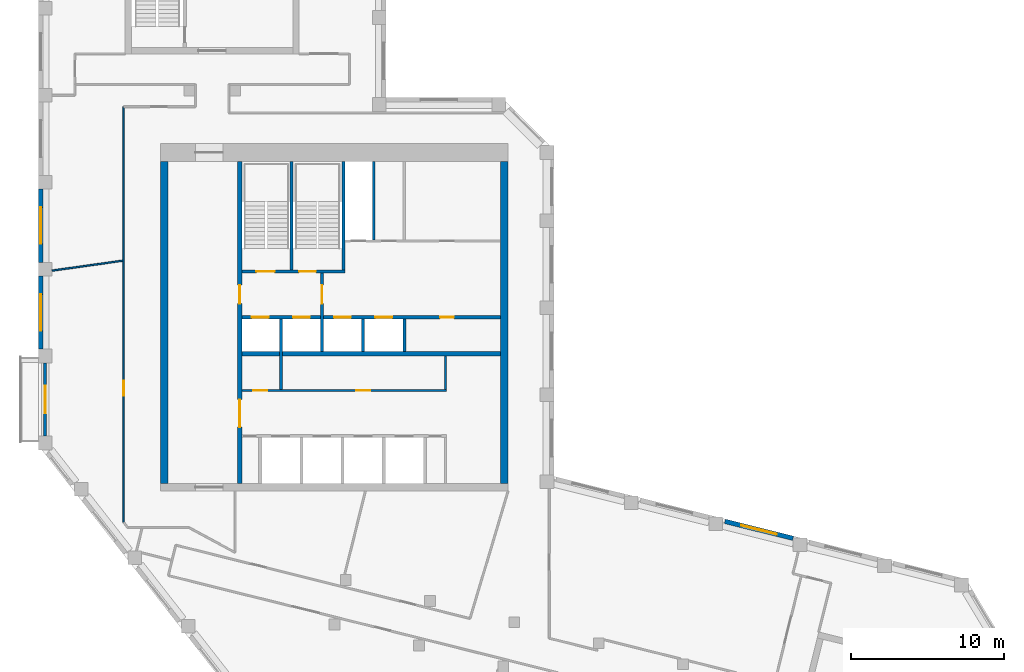
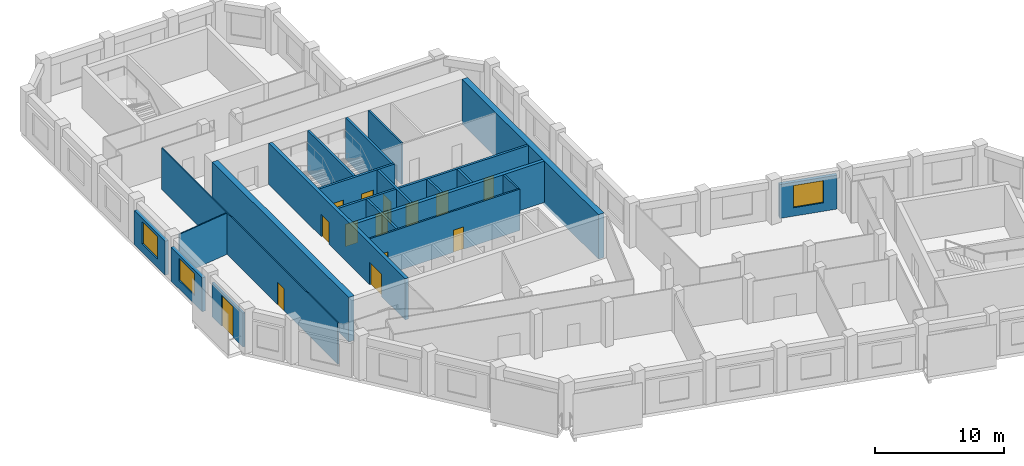
# One storey, part 5 of 8: 21 walls, 14 doors, 3 windows, 17 openings.
"""IFC4 building model written with IfcOpenShell, lengths in metres."""

from ifc_helpers import new_model, si_unit, direction, frame, frame_2d, origin, place, context, subcontext, project, spatial, rectangle, extrude, material, layer, layer_set, type_object, element, fill, save


model = new_model("IFC4")

# Units and contexts
model_context = context("Model", 3, precision=1e-05, world=origin(), true_north=direction((0.0, 1.0)))
body_context = subcontext(model_context, "Body", "Model", "MODEL_VIEW")
ifc_project = project(units=[si_unit("LENGTHUNIT", "METRE"), si_unit("AREAUNIT", "SQUARE_METRE"), si_unit("VOLUMEUNIT", "CUBIC_METRE"), si_unit("PLANEANGLEUNIT", "RADIAN"), si_unit("MASSUNIT", "GRAM", prefix="KILO")], contexts=[model_context])

# Site, building, storey
site_placement = place(None, origin())
site = spatial("IfcSite", under=ifc_project, at=site_placement, CompositionType="ELEMENT")
building_placement = place(site_placement, origin())
building = spatial("IfcBuilding", under=site, at=building_placement, Name="Meshkara Civic Tower", CompositionType="ELEMENT")
storey_placement = place(building_placement, frame((0.0, 0.0, 362.39990234375)))
storey = spatial("IfcBuildingStorey", under=building, at=storey_placement, Name="L83", CompositionType="ELEMENT", Elevation=362.39990234375)

# Wall, openings, doors
ifc_material_1 = material(Name="Blockwork", Category="masonry")
ifc_layer_1 = layer(ifc_material_1, 0.14990234375)
ifc_layer_set_1 = layer_set([ifc_layer_1], Name="Core partition 150")
wall_type_1 = type_object("IfcWallType", Name="Core partition 150", PredefinedType="PARTITIONING", material=ifc_layer_set_1)
wall_1_placement = place(storey_placement, frame((13.35009765625, 20.699951171875, 0.0), z_axis=(0.0, 0.0, 1.0), x_axis=(1.0, 0.0, 0.0)))
wall_1 = element("IfcWall", 1, at=wall_1_placement, inside=storey, type_object=wall_type_1, Name="L83-C006", PredefinedType="PARTITIONING", context=body_context, shape_type="SweptSolid", body=[
    extrude(rectangle(XDim=13.4248046875, YDim=0.14990234375, at=frame_2d((6.71240234375, 0.0))), origin(), (0.0, 0.0, 1.0), 3.900146484375),
])
opening_1_placement = place(wall_1_placement, frame((0.75, 0.0, 0.0)))
opening_1 = element("IfcOpeningElement", 2, at=opening_1_placement, cuts=wall_1, Name="Opening L83-K011", PredefinedType="OPENING", context=body_context, shape_type="SweptSolid", body=[
    extrude(rectangle(XDim=0.89990234375, YDim=2.10009765625, at=frame_2d((0.449951171875, 1.050048828125))), frame((0.0, 0.0849609375, 0.0), z_axis=(0.0, -1.0, 0.0), x_axis=(1.0, 0.0, 0.0)), (0.0, 0.0, 1.0), 0.169921875),
])
opening_2_placement = place(wall_1_placement, frame((7.5, 0.0, 0.0)))
opening_2 = element("IfcOpeningElement", 3, at=opening_2_placement, cuts=wall_1, Name="Opening L83-K012", PredefinedType="OPENING", context=body_context, shape_type="SweptSolid", body=[
    extrude(rectangle(XDim=0.89990234375, YDim=2.10009765625, at=frame_2d((0.449951171875, 1.050048828125))), frame((0.0, 0.0849609375, 0.0), z_axis=(0.0, -1.0, 0.0), x_axis=(1.0, 0.0, 0.0)), (0.0, 0.0, 1.0), 0.169921875),
])
ifc_material_2 = material(Name="Timber door leaf in steel frame", Category="steel")
door_type_1 = type_object("IfcDoorType", Name="Core room door 900", OperationType="SINGLE_SWING_LEFT", PredefinedType="DOOR", material=ifc_material_2)
door_1_placement = place(opening_1_placement, origin())
door_1 = element("IfcDoor", 4, at=door_1_placement, inside=storey, type_object=door_type_1, Name="L83-K011", OperationType="SINGLE_SWING_RIGHT", OverallHeight=2.10009765625, OverallWidth=0.89990234375, PredefinedType="DOOR", context=body_context, shape_type="SweptSolid", body=[
    extrude(rectangle(XDim=0.89990234375, YDim=2.10009765625, at=frame_2d((0.449951171875, 1.050048828125))), frame((0.0, 0.02490234375, 0.0), z_axis=(0.0, -1.0, 0.0), x_axis=(1.0, 0.0, 0.0)), (0.0, 0.0, 1.0), 0.050048828125),
])
fill(opening_1, door_1)
door_2_placement = place(opening_2_placement, origin())
door_2 = element("IfcDoor", 5, at=door_2_placement, inside=storey, type_object=door_type_1, Name="L83-K012", OperationType="SINGLE_SWING_LEFT", OverallHeight=2.10009765625, OverallWidth=0.89990234375, PredefinedType="DOOR", context=body_context, shape_type="SweptSolid", body=[
    extrude(rectangle(XDim=0.89990234375, YDim=2.10009765625, at=frame_2d((0.449951171875, 1.050048828125))), frame((0.0, 0.02490234375, 0.0), z_axis=(0.0, -1.0, 0.0), x_axis=(1.0, 0.0, 0.0)), (0.0, 0.0, 1.0), 0.050048828125),
])
fill(opening_2, door_2)

# Walls
wall_2_placement = place(storey_placement, frame((22.0, 30.574951171875, 0.0), z_axis=(0.0, 0.0, 1.0), x_axis=(0.0, 1.0, 0.0)))
element("IfcWall", 6, at=wall_2_placement, inside=storey, type_object=wall_type_1, Name="L83-C020", PredefinedType="PARTITIONING", context=body_context, shape_type="SweptSolid", body=[
    extrude(rectangle(XDim=5.125, YDim=0.14990234375, at=frame_2d((2.5625, 0.0))), origin(), (0.0, 0.0, 1.0), 3.900146484375),
])
wall_3_placement = place(storey_placement, frame((26.699951171875, 20.77490234375, 0.0), z_axis=(0.0, 0.0, 1.0), x_axis=(0.0, 1.0, 0.0)))
element("IfcWall", 7, at=wall_3_placement, inside=storey, type_object=wall_type_1, Name="L83-C026", PredefinedType="PARTITIONING", context=body_context, shape_type="SweptSolid", body=[
    extrude(rectangle(XDim=2.175048828125, YDim=0.14990234375, at=frame_2d((1.08740234375, 0.0))), origin(), (0.0, 0.0, 1.0), 3.900146484375),
])
ifc_material_3 = material(Name="Concrete C50", Category="concrete")
ifc_layer_2 = layer(ifc_material_3, 0.5)
ifc_layer_set_2 = layer_set([ifc_layer_2], Name="Core ring wall 500 C50")
wall_type_2 = type_object("IfcWallType", Name="Core ring wall 500 C50", PredefinedType="SHEAR", material=ifc_layer_set_2)
for number, where, z_axis, x_axis, name in (
    (8, (8.25, 14.60009765625, -0.2998046875), (0.0, 0.0, 1.0), (0.0, 1.0, 0.0), "L83-C003"),
    (9, (30.550048828125, 14.60009765625, -0.2998046875), (0.0, 0.0, 1.0), (0.0, 1.0, 0.0), "L83-C004"),
):
    element("IfcWall", number, at=place(storey_placement, frame(where, z_axis=z_axis, x_axis=x_axis)), inside=storey, type_object=wall_type_2, Name=name, PredefinedType="SHEAR", context=body_context, shape_type="SweptSolid", body=[
        extrude(rectangle(XDim=21.099853515625, YDim=0.5, at=frame_2d((10.5498046875, 0.0))), origin(), (0.0, 0.0, 1.0), 4.199951171875),
    ])
ifc_material_4 = material(Name="Concrete C50", Category="concrete")
ifc_layer_3 = layer(ifc_material_4, 0.300048828125)
ifc_layer_set_3 = layer_set([ifc_layer_3], Name="Core shear wall 300 C50")
wall_type_3 = type_object("IfcWallType", Name="Core shear wall 300 C50", PredefinedType="SHEAR", material=ifc_layer_set_3)
wall_4_placement = place(storey_placement, frame((13.35009765625, 23.10009765625, 0.0), z_axis=(0.0, 0.0, 1.0), x_axis=(1.0, 0.0, 0.0)))
element("IfcWall", 10, at=wall_4_placement, inside=storey, type_object=wall_type_3, Name="L83-C007", PredefinedType="SHEAR", context=body_context, shape_type="SweptSolid", body=[
    extrude(rectangle(XDim=16.949951171875, YDim=0.300048828125, at=frame_2d((8.47509765625, 0.0))), origin(), (0.0, 0.0, 1.0), 3.900146484375),
])

# Wall, openings, doors
wall_5_placement = place(storey_placement, frame((13.199951171875, 14.60009765625, 0.0), z_axis=(0.0, 0.0, 1.0), x_axis=(0.0, 1.0, 0.0)))
wall_5 = element("IfcWall", 11, at=wall_5_placement, inside=storey, type_object=wall_type_3, Name="L83-C011", PredefinedType="SHEAR", context=body_context, shape_type="SweptSolid", body=[
    extrude(rectangle(XDim=21.099853515625, YDim=0.300048828125, at=frame_2d((10.5498046875, 0.0))), origin(), (0.0, 0.0, 1.0), 3.900146484375),
])
opening_3_placement = place(wall_5_placement, frame((3.699951171875, 0.0, 0.0)))
opening_3 = element("IfcOpeningElement", 12, at=opening_3_placement, cuts=wall_5, Name="Opening L83-K019", PredefinedType="OPENING", context=body_context, shape_type="SweptSolid", body=[
    extrude(rectangle(XDim=1.800048828125, YDim=2.10009765625, at=frame_2d((0.89990234375, 1.050048828125))), frame((0.0, 0.159912109375, 0.0), z_axis=(0.0, -1.0, 0.0), x_axis=(1.0, 0.0, 0.0)), (0.0, 0.0, 1.0), 0.320068359375),
])
opening_4_placement = place(wall_5_placement, frame((11.800048828125, 0.0, 0.0)))
opening_4 = element("IfcOpeningElement", 13, at=opening_4_placement, cuts=wall_5, Name="Opening L83-K020", PredefinedType="OPENING", context=body_context, shape_type="SweptSolid", body=[
    extrude(rectangle(XDim=1.199951171875, YDim=2.10009765625, at=frame_2d((0.60009765625, 1.050048828125))), frame((0.0, 0.159912109375, 0.0), z_axis=(0.0, -1.0, 0.0), x_axis=(1.0, 0.0, 0.0)), (0.0, 0.0, 1.0), 0.320068359375),
])
ifc_material_5 = material(Name="Fire-rated door leaf in steel frame", Category="steel")
door_type_2 = type_object("IfcDoorType", Name="Core double door 1800 EI 60", OperationType="DOUBLE_DOOR_SINGLE_SWING", PredefinedType="DOOR", material=ifc_material_5)
door_3_placement = place(opening_3_placement, origin())
door_3 = element("IfcDoor", 14, at=door_3_placement, inside=storey, type_object=door_type_2, Name="L83-K019", OperationType="DOUBLE_DOOR_SINGLE_SWING", OverallHeight=2.10009765625, OverallWidth=1.800048828125, PredefinedType="DOOR", context=body_context, shape_type="SweptSolid", body=[
    extrude(rectangle(XDim=1.800048828125, YDim=2.10009765625, at=frame_2d((0.89990234375, 1.050048828125))), frame((0.0, 0.02490234375, 0.0), z_axis=(0.0, -1.0, 0.0), x_axis=(1.0, 0.0, 0.0)), (0.0, 0.0, 1.0), 0.050048828125),
])
fill(opening_3, door_3)
ifc_material_6 = material(Name="Fire-rated door leaf in steel frame", Category="steel")
door_type_3 = type_object("IfcDoorType", Name="Fire-fighting lobby door 1200 EI 120", OperationType="SINGLE_SWING_LEFT", PredefinedType="DOOR", material=ifc_material_6)
door_4_placement = place(opening_4_placement, origin())
door_4 = element("IfcDoor", 15, at=door_4_placement, inside=storey, type_object=door_type_3, Name="L83-K020", OperationType="SINGLE_SWING_LEFT", OverallHeight=2.10009765625, OverallWidth=1.199951171875, PredefinedType="DOOR", context=body_context, shape_type="SweptSolid", body=[
    extrude(rectangle(XDim=1.199951171875, YDim=2.10009765625, at=frame_2d((0.60009765625, 1.050048828125))), frame((0.0, 0.02490234375, 0.0), z_axis=(0.0, -1.0, 0.0), x_axis=(1.0, 0.0, 0.0)), (0.0, 0.0, 1.0), 0.050048828125),
])
fill(opening_4, door_4)

# Wall, opening, door
ifc_material_7 = material(Name="Corridor wall 100")
ifc_layer_4 = layer(ifc_material_7, 0.10009765625)
ifc_layer_set_4 = layer_set([ifc_layer_4], Name="Corridor wall 100")
wall_type_4 = type_object("IfcWallType", Name="Corridor wall 100", PredefinedType="PARTITIONING", material=ifc_layer_set_4)
wall_6_placement = place(storey_placement, frame((5.60009765625, 39.300048828125, 0.0), z_axis=(0.0, 0.0, 1.0), x_axis=(0.0, -1.0, 0.0)))
wall_6 = element("IfcWall", 16, at=wall_6_placement, inside=storey, type_object=wall_type_4, Name="L83-W004", PredefinedType="PARTITIONING", context=body_context, shape_type="SweptSolid", body=[
    extrude(rectangle(XDim=27.256103515625, YDim=0.10009765625, at=frame_2d((13.6279296875, 0.0))), origin(), (0.0, 0.0, 1.0), 3.900146484375),
])
opening_5_placement = place(wall_6_placement, frame((17.962890625, 0.0, 0.0)))
opening_5 = element("IfcOpeningElement", 17, at=opening_5_placement, cuts=wall_6, Name="Opening L83-D011", PredefinedType="OPENING", context=body_context, shape_type="SweptSolid", body=[
    extrude(rectangle(XDim=1.0, YDim=2.10009765625, at=frame_2d((0.5, 1.050048828125))), frame((0.0, 0.06005859375, 0.0), z_axis=(0.0, -1.0, 0.0), x_axis=(1.0, 0.0, 0.0)), (0.0, 0.0, 1.0), 0.1201171875),
])
ifc_material_8 = material(Name="Door 1000 x 2100")
door_type_4 = type_object("IfcDoorType", Name="Door 1000 x 2100", OperationType="SINGLE_SWING_LEFT", PredefinedType="DOOR", material=ifc_material_8)
door_5_placement = place(opening_5_placement, origin())
door_5 = element("IfcDoor", 18, at=door_5_placement, inside=storey, type_object=door_type_4, Name="L83-D011", OperationType="SINGLE_SWING_RIGHT", OverallHeight=2.10009765625, OverallWidth=1.0, PredefinedType="DOOR", context=body_context, shape_type="SweptSolid", body=[
    extrude(rectangle(XDim=1.0, YDim=2.10009765625, at=frame_2d((0.5, 1.050048828125))), frame((0.0, 0.02490234375, 0.0), z_axis=(0.0, -1.0, 0.0), x_axis=(1.0, 0.0, 0.0)), (0.0, 0.0, 1.0), 0.050048828125),
])
fill(opening_5, door_5)

# Wall, opening, window
ifc_material_9 = material(Name="Insulated infill panel with bronze anodised aluminium cladding", Category="aluminium")
ifc_layer_5 = layer(ifc_material_9, 0.300048828125)
ifc_layer_set_5 = layer_set([ifc_layer_5], Name="EXTERNAL INFILL WALL 300")
wall_type_5 = type_object("IfcWallType", Name="EXTERNAL INFILL WALL 300", PredefinedType="SOLIDWALL", material=ifc_layer_set_5)
wall_7_placement = place(storey_placement, frame((49.485107421875, 11.0048828125, 0.0), z_axis=(0.0, 0.0, 1.0), x_axis=(-0.970235897967, 0.242161727563, 0.0)))
wall_7 = element("IfcWall", 19, at=wall_7_placement, inside=storey, type_object=wall_type_5, Name="External wall", PredefinedType="SOLIDWALL", context=body_context, shape_type="SweptSolid", body=[
    extrude(rectangle(XDim=4.609375, YDim=0.300048828125, at=frame_2d((2.3046875, 0.0))), origin(), (0.0, 0.0, 1.0), 3.2001953125),
])
opening_6_placement = place(wall_7_placement, frame((1.10498046875, 0.0, 0.800048828125)))
opening_6 = element("IfcOpeningElement", 20, at=opening_6_placement, cuts=wall_7, Name="Opening W7", PredefinedType="OPENING", context=body_context, shape_type="SweptSolid", body=[
    extrude(rectangle(XDim=2.39990234375, YDim=2.10009765625, at=frame_2d((1.199951171875, 1.050048828125))), frame((0.0, 0.159912109375, 0.0), z_axis=(0.0, -1.0, 0.0), x_axis=(1.0, 0.0, 0.0)), (0.0, 0.0, 1.0), 0.320068359375),
])
ifc_material_10 = material(Name="Tinted double glazing", Category="glass")
window_type = type_object("IfcWindowType", Name="WINDOW 2400x2100", PartitioningType="DOUBLE_PANEL_VERTICAL", PredefinedType="WINDOW", material=ifc_material_10)
window_1_placement = place(opening_6_placement, origin())
window_1 = element("IfcWindow", 21, at=window_1_placement, inside=storey, type_object=window_type, Name="Window", OverallHeight=2.10009765625, OverallWidth=2.39990234375, PartitioningType="DOUBLE_PANEL_VERTICAL", PredefinedType="WINDOW", context=body_context, shape_type="SweptSolid", body=[
    extrude(rectangle(XDim=2.39990234375, YDim=2.10009765625, at=frame_2d((1.199951171875, 1.050048828125))), frame((0.0, 0.030029296875, 0.0), z_axis=(0.0, -1.0, 0.0), x_axis=(1.0, 0.0, 0.0)), (0.0, 0.0, 1.0), 0.06005859375),
])
fill(opening_6, window_1)

wall_8_placement = place(storey_placement, frame((0.14990234375, 33.905029296875, 0.0), z_axis=(0.0, 0.0, 1.0), x_axis=(0.0, -1.0, 0.0)))
wall_8 = element("IfcWall", 22, at=wall_8_placement, inside=storey, type_object=wall_type_5, Name="External wall", PredefinedType="SOLIDWALL", context=body_context, shape_type="SweptSolid", body=[
    extrude(rectangle(XDim=4.800048828125, YDim=0.300048828125, at=frame_2d((2.39990234375, 0.0))), origin(), (0.0, 0.0, 1.0), 3.2001953125),
])
opening_7_placement = place(wall_8_placement, frame((1.199951171875, 0.0, 0.800048828125)))
opening_7 = element("IfcOpeningElement", 23, at=opening_7_placement, cuts=wall_8, Name="Opening W7", PredefinedType="OPENING", context=body_context, shape_type="SweptSolid", body=[
    extrude(rectangle(XDim=2.39990234375, YDim=2.10009765625, at=frame_2d((1.199951171875, 1.050048828125))), frame((0.0, 0.159912109375, 0.0), z_axis=(0.0, -1.0, 0.0), x_axis=(1.0, 0.0, 0.0)), (0.0, 0.0, 1.0), 0.320068359375),
])
window_2_placement = place(opening_7_placement, origin())
window_2 = element("IfcWindow", 24, at=window_2_placement, inside=storey, type_object=window_type, Name="Window", OverallHeight=2.10009765625, OverallWidth=2.39990234375, PartitioningType="DOUBLE_PANEL_VERTICAL", PredefinedType="WINDOW", context=body_context, shape_type="SweptSolid", body=[
    extrude(rectangle(XDim=2.39990234375, YDim=2.10009765625, at=frame_2d((1.199951171875, 1.050048828125))), frame((0.0, 0.030029296875, 0.0), z_axis=(0.0, -1.0, 0.0), x_axis=(1.0, 0.0, 0.0)), (0.0, 0.0, 1.0), 0.06005859375),
])
fill(opening_7, window_2)

wall_9_placement = place(storey_placement, frame((0.14990234375, 28.205078125, 0.0), z_axis=(0.0, 0.0, 1.0), x_axis=(0.0, -1.0, 0.0)))
wall_9 = element("IfcWall", 25, at=wall_9_placement, inside=storey, type_object=wall_type_5, Name="External wall", PredefinedType="SOLIDWALL", context=body_context, shape_type="SweptSolid", body=[
    extrude(rectangle(XDim=4.800048828125, YDim=0.300048828125, at=frame_2d((2.39990234375, 0.0))), origin(), (0.0, 0.0, 1.0), 3.2001953125),
])
opening_8_placement = place(wall_9_placement, frame((1.199951171875, 0.0, 0.800048828125)))
opening_8 = element("IfcOpeningElement", 26, at=opening_8_placement, cuts=wall_9, Name="Opening W7", PredefinedType="OPENING", context=body_context, shape_type="SweptSolid", body=[
    extrude(rectangle(XDim=2.39990234375, YDim=2.10009765625, at=frame_2d((1.199951171875, 1.050048828125))), frame((0.0, 0.159912109375, 0.0), z_axis=(0.0, -1.0, 0.0), x_axis=(1.0, 0.0, 0.0)), (0.0, 0.0, 1.0), 0.320068359375),
])
window_3_placement = place(opening_8_placement, origin())
window_3 = element("IfcWindow", 27, at=window_3_placement, inside=storey, type_object=window_type, Name="Window", OverallHeight=2.10009765625, OverallWidth=2.39990234375, PartitioningType="DOUBLE_PANEL_VERTICAL", PredefinedType="WINDOW", context=body_context, shape_type="SweptSolid", body=[
    extrude(rectangle(XDim=2.39990234375, YDim=2.10009765625, at=frame_2d((1.199951171875, 1.050048828125))), frame((0.0, 0.030029296875, 0.0), z_axis=(0.0, -1.0, 0.0), x_axis=(1.0, 0.0, 0.0)), (0.0, 0.0, 1.0), 0.06005859375),
])
fill(opening_8, window_3)

# Wall, opening, door
ifc_material_11 = material(Name="Insulated infill panel with bronze anodised aluminium cladding", Category="aluminium")
ifc_layer_6 = layer(ifc_material_11, 0.199951171875)
ifc_layer_set_6 = layer_set([ifc_layer_6], Name="LOGGIA BACK WALL 200")
wall_type_6 = type_object("IfcWallType", Name="LOGGIA BACK WALL 200", PredefinedType="SOLIDWALL", material=ifc_layer_set_6)
wall_10_placement = place(storey_placement, frame((0.449951171875, 22.5048828125, 0.0), z_axis=(0.0, 0.0, 1.0), x_axis=(0.0, -1.0, 0.0)))
wall_10 = element("IfcWall", 28, at=wall_10_placement, inside=storey, type_object=wall_type_6, Name="Loggia wall", PredefinedType="SOLIDWALL", context=body_context, shape_type="SweptSolid", body=[
    extrude(rectangle(XDim=4.798828125, YDim=0.199951171875, at=frame_2d((2.3994140625, 0.0))), origin(), (0.0, 0.0, 1.0), 3.2001953125),
])
opening_9_placement = place(wall_10_placement, frame((1.5, 0.0, 0.0)))
opening_9 = element("IfcOpeningElement", 29, at=opening_9_placement, cuts=wall_10, Name="Opening L83-L001", PredefinedType="OPENING", context=body_context, shape_type="SweptSolid", body=[
    extrude(rectangle(XDim=1.800048828125, YDim=2.89990234375, at=frame_2d((0.89990234375, 1.449951171875))), frame((0.0, 0.10986328125, 0.0), z_axis=(0.0, -1.0, 0.0), x_axis=(1.0, 0.0, 0.0)), (0.0, 0.0, 1.0), 0.219970703125),
])
ifc_material_12 = material(Name="Tinted double glazing", Category="glass")
door_type_5 = type_object("IfcDoorType", Name="LOGGIA DOOR 1800x2900", OperationType="DOUBLE_DOOR_SINGLE_SWING", PredefinedType="DOOR", material=ifc_material_12)
door_6_placement = place(opening_9_placement, origin())
door_6 = element("IfcDoor", 30, at=door_6_placement, inside=storey, type_object=door_type_5, Name="L83-L001", OperationType="DOUBLE_DOOR_SINGLE_SWING", OverallHeight=2.89990234375, OverallWidth=1.800048828125, PredefinedType="DOOR", context=body_context, shape_type="SweptSolid", body=[
    extrude(rectangle(XDim=1.800048828125, YDim=2.89990234375, at=frame_2d((0.89990234375, 1.449951171875))), frame((0.0, 0.02490234375, 0.0), z_axis=(0.0, -1.0, 0.0), x_axis=(1.0, 0.0, 0.0)), (0.0, 0.0, 1.0), 0.050048828125),
])
fill(opening_9, door_6)

# Wall
ifc_material_13 = material(Name="Partition 100")
ifc_layer_7 = layer(ifc_material_13, 0.10009765625)
ifc_layer_set_7 = layer_set([ifc_layer_7], Name="Partition 100")
wall_type_7 = type_object("IfcWallType", Name="Partition 100", PredefinedType="PARTITIONING", material=ifc_layer_set_7)
wall_11_placement = place(storey_placement, frame((5.54296875, 29.208984375, 0.0), z_axis=(0.0, 0.0, 1.0), x_axis=(-0.990252315106, -0.139285147908, 0.0)))
element("IfcWall", 31, at=wall_11_placement, inside=storey, type_object=wall_type_7, Name="L83-W034", PredefinedType="PARTITIONING", context=body_context, shape_type="SweptSolid", body=[
    extrude(rectangle(XDim=4.688720703125, YDim=0.10009765625, at=frame_2d((2.34423828125, 0.0))), origin(), (0.0, 0.0, 1.0), 3.900146484375),
])

# Wall, openings, doors
ifc_material_14 = material(Name="Concrete C40/50", Category="concrete")
ifc_layer_8 = layer(ifc_material_14, 0.199951171875)
ifc_layer_set_8 = layer_set([ifc_layer_8], Name="Shaft wall 200 C40/50")
wall_type_8 = type_object("IfcWallType", Name="Shaft wall 200 C40/50", PredefinedType="SOLIDWALL", material=ifc_layer_set_8)
wall_12_placement = place(storey_placement, frame((13.35009765625, 25.5, 0.0), z_axis=(0.0, 0.0, 1.0), x_axis=(1.0, 0.0, 0.0)))
wall_12 = element("IfcWall", 32, at=wall_12_placement, inside=storey, type_object=wall_type_8, Name="L83-C008", PredefinedType="SOLIDWALL", context=body_context, shape_type="SweptSolid", body=[
    extrude(rectangle(XDim=16.949951171875, YDim=0.199951171875, at=frame_2d((8.47509765625, 0.0))), origin(), (0.0, 0.0, 1.0), 3.900146484375),
])
opening_10_placement = place(wall_12_placement, frame((0.64990234375, 0.0, 0.0)))
opening_10 = element("IfcOpeningElement", 33, at=opening_10_placement, cuts=wall_12, Name="Opening L83-K005", PredefinedType="OPENING", context=body_context, shape_type="SweptSolid", body=[
    extrude(rectangle(XDim=1.10009765625, YDim=2.10009765625, at=frame_2d((0.550048828125, 1.050048828125))), frame((0.0, 0.10986328125, 0.0), z_axis=(0.0, -1.0, 0.0), x_axis=(1.0, 0.0, 0.0)), (0.0, 0.0, 1.0), 0.219970703125),
])
opening_11_placement = place(wall_12_placement, frame((3.35009765625, 0.0, 0.0)))
opening_11 = element("IfcOpeningElement", 34, at=opening_11_placement, cuts=wall_12, Name="Opening L83-K006", PredefinedType="OPENING", context=body_context, shape_type="SweptSolid", body=[
    extrude(rectangle(XDim=1.10009765625, YDim=2.10009765625, at=frame_2d((0.550048828125, 1.050048828125))), frame((0.0, 0.10986328125, 0.0), z_axis=(0.0, -1.0, 0.0), x_axis=(1.0, 0.0, 0.0)), (0.0, 0.0, 1.0), 0.219970703125),
])
opening_12_placement = place(wall_12_placement, frame((6.050048828125, 0.0, 0.0)))
opening_12 = element("IfcOpeningElement", 35, at=opening_12_placement, cuts=wall_12, Name="Opening L83-K007", PredefinedType="OPENING", context=body_context, shape_type="SweptSolid", body=[
    extrude(rectangle(XDim=1.10009765625, YDim=2.10009765625, at=frame_2d((0.550048828125, 1.050048828125))), frame((0.0, 0.10986328125, 0.0), z_axis=(0.0, -1.0, 0.0), x_axis=(1.0, 0.0, 0.0)), (0.0, 0.0, 1.0), 0.219970703125),
])
opening_13_placement = place(wall_12_placement, frame((8.75, 0.0, 0.0)))
opening_13 = element("IfcOpeningElement", 36, at=opening_13_placement, cuts=wall_12, Name="Opening L83-K008", PredefinedType="OPENING", context=body_context, shape_type="SweptSolid", body=[
    extrude(rectangle(XDim=1.10009765625, YDim=2.10009765625, at=frame_2d((0.550048828125, 1.050048828125))), frame((0.0, 0.10986328125, 0.0), z_axis=(0.0, -1.0, 0.0), x_axis=(1.0, 0.0, 0.0)), (0.0, 0.0, 1.0), 0.219970703125),
])
opening_14_placement = place(wall_12_placement, frame((13.0, 0.0, 0.0)))
opening_14 = element("IfcOpeningElement", 37, at=opening_14_placement, cuts=wall_12, Name="Opening L83-K013", PredefinedType="OPENING", context=body_context, shape_type="SweptSolid", body=[
    extrude(rectangle(XDim=0.89990234375, YDim=2.10009765625, at=frame_2d((0.449951171875, 1.050048828125))), frame((0.0, 0.10986328125, 0.0), z_axis=(0.0, -1.0, 0.0), x_axis=(1.0, 0.0, 0.0)), (0.0, 0.0, 1.0), 0.219970703125),
])
door_7_placement = place(opening_14_placement, origin())
door_7 = element("IfcDoor", 38, at=door_7_placement, inside=storey, type_object=door_type_1, Name="L83-K013", OperationType="SINGLE_SWING_LEFT", OverallHeight=2.10009765625, OverallWidth=0.89990234375, PredefinedType="DOOR", context=body_context, shape_type="SweptSolid", body=[
    extrude(rectangle(XDim=0.89990234375, YDim=2.10009765625, at=frame_2d((0.449951171875, 1.050048828125))), frame((0.0, 0.02490234375, 0.0), z_axis=(0.0, -1.0, 0.0), x_axis=(1.0, 0.0, 0.0)), (0.0, 0.0, 1.0), 0.050048828125),
])
fill(opening_14, door_7)
ifc_material_15 = material(Name="Stainless steel landing door", Category="steel")
door_type_6 = type_object("IfcDoorType", Name="Lift landing door 1100", OperationType="SLIDING_TO_LEFT", PredefinedType="DOOR", material=ifc_material_15)
door_8_placement = place(opening_10_placement, origin())
door_8 = element("IfcDoor", 39, at=door_8_placement, inside=storey, type_object=door_type_6, Name="L83-K005", OperationType="SLIDING_TO_LEFT", OverallHeight=2.10009765625, OverallWidth=1.10009765625, PredefinedType="DOOR", context=body_context, shape_type="SweptSolid", body=[
    extrude(rectangle(XDim=1.10009765625, YDim=2.10009765625, at=frame_2d((0.550048828125, 1.050048828125))), frame((0.0, 0.02490234375, 0.0), z_axis=(0.0, -1.0, 0.0), x_axis=(1.0, 0.0, 0.0)), (0.0, 0.0, 1.0), 0.050048828125),
])
fill(opening_10, door_8)
door_9_placement = place(opening_11_placement, origin())
door_9 = element("IfcDoor", 40, at=door_9_placement, inside=storey, type_object=door_type_6, Name="L83-K006", OperationType="SLIDING_TO_LEFT", OverallHeight=2.10009765625, OverallWidth=1.10009765625, PredefinedType="DOOR", context=body_context, shape_type="SweptSolid", body=[
    extrude(rectangle(XDim=1.10009765625, YDim=2.10009765625, at=frame_2d((0.550048828125, 1.050048828125))), frame((0.0, 0.02490234375, 0.0), z_axis=(0.0, -1.0, 0.0), x_axis=(1.0, 0.0, 0.0)), (0.0, 0.0, 1.0), 0.050048828125),
])
fill(opening_11, door_9)
door_10_placement = place(opening_12_placement, origin())
door_10 = element("IfcDoor", 41, at=door_10_placement, inside=storey, type_object=door_type_6, Name="L83-K007", OperationType="SLIDING_TO_LEFT", OverallHeight=2.10009765625, OverallWidth=1.10009765625, PredefinedType="DOOR", context=body_context, shape_type="SweptSolid", body=[
    extrude(rectangle(XDim=1.10009765625, YDim=2.10009765625, at=frame_2d((0.550048828125, 1.050048828125))), frame((0.0, 0.02490234375, 0.0), z_axis=(0.0, -1.0, 0.0), x_axis=(1.0, 0.0, 0.0)), (0.0, 0.0, 1.0), 0.050048828125),
])
fill(opening_12, door_10)
door_11_placement = place(opening_13_placement, origin())
door_11 = element("IfcDoor", 42, at=door_11_placement, inside=storey, type_object=door_type_6, Name="L83-K008", OperationType="SLIDING_TO_LEFT", OverallHeight=2.10009765625, OverallWidth=1.10009765625, PredefinedType="DOOR", context=body_context, shape_type="SweptSolid", body=[
    extrude(rectangle(XDim=1.10009765625, YDim=2.10009765625, at=frame_2d((0.550048828125, 1.050048828125))), frame((0.0, 0.02490234375, 0.0), z_axis=(0.0, -1.0, 0.0), x_axis=(1.0, 0.0, 0.0)), (0.0, 0.0, 1.0), 0.050048828125),
])
fill(opening_13, door_11)

# Wall
wall_13_placement = place(storey_placement, frame((15.89990234375, 20.77490234375, 0.0), z_axis=(0.0, 0.0, 1.0), x_axis=(0.0, 1.0, 0.0)))
element("IfcWall", 43, at=wall_13_placement, inside=storey, type_object=wall_type_8, Name="L83-C013", PredefinedType="SOLIDWALL", context=body_context, shape_type="SweptSolid", body=[
    extrude(rectangle(XDim=4.625, YDim=0.199951171875, at=frame_2d((2.3125, 0.0))), origin(), (0.0, 0.0, 1.0), 3.900146484375),
])

# Wall, opening, door
wall_14_placement = place(storey_placement, frame((18.60009765625, 23.25, 0.0), z_axis=(0.0, 0.0, 1.0), x_axis=(0.0, 1.0, 0.0)))
wall_14 = element("IfcWall", 44, at=wall_14_placement, inside=storey, type_object=wall_type_8, Name="L83-C016", PredefinedType="SOLIDWALL", context=body_context, shape_type="SweptSolid", body=[
    extrude(rectangle(XDim=5.14990234375, YDim=0.199951171875, at=frame_2d((2.574951171875, 0.0))), origin(), (0.0, 0.0, 1.0), 3.900146484375),
])
opening_15_placement = place(wall_14_placement, frame((3.14990234375, 0.0, 0.0)))
opening_15 = element("IfcOpeningElement", 45, at=opening_15_placement, cuts=wall_14, Name="Opening L83-K021", PredefinedType="OPENING", context=body_context, shape_type="SweptSolid", body=[
    extrude(rectangle(XDim=1.199951171875, YDim=2.10009765625, at=frame_2d((0.60009765625, 1.050048828125))), frame((0.0, 0.10986328125, 0.0), z_axis=(0.0, -1.0, 0.0), x_axis=(1.0, 0.0, 0.0)), (0.0, 0.0, 1.0), 0.219970703125),
])
door_12_placement = place(opening_15_placement, origin())
door_12 = element("IfcDoor", 46, at=door_12_placement, inside=storey, type_object=door_type_3, Name="L83-K021", OperationType="SINGLE_SWING_RIGHT", OverallHeight=2.10009765625, OverallWidth=1.199951171875, PredefinedType="DOOR", context=body_context, shape_type="SweptSolid", body=[
    extrude(rectangle(XDim=1.199951171875, YDim=2.10009765625, at=frame_2d((0.60009765625, 1.050048828125))), frame((0.0, 0.02490234375, 0.0), z_axis=(0.0, -1.0, 0.0), x_axis=(1.0, 0.0, 0.0)), (0.0, 0.0, 1.0), 0.050048828125),
])
fill(opening_15, door_12)

# Walls
for number, where, z_axis, x_axis, name in (
    (47, (21.300048828125, 23.25, 0.0), (0.0, 0.0, 1.0), (0.0, 1.0, 0.0), "L83-C019"),
    (48, (24.0, 23.25, 0.0), (0.0, 0.0, 1.0), (0.0, 1.0, 0.0), "L83-C022"),
):
    element("IfcWall", number, at=place(storey_placement, frame(where, z_axis=z_axis, x_axis=x_axis)), inside=storey, type_object=wall_type_8, Name=name, PredefinedType="SOLIDWALL", context=body_context, shape_type="SweptSolid", body=[
        extrude(rectangle(XDim=2.14990234375, YDim=0.199951171875, at=frame_2d((1.074951171875, 0.0))), origin(), (0.0, 0.0, 1.0), 3.900146484375),
    ])

# Wall, openings, doors
ifc_material_16 = material(Name="Concrete C40/50", Category="concrete")
ifc_layer_9 = layer(ifc_material_16, 0.199951171875)
ifc_layer_set_9 = layer_set([ifc_layer_9], Name="Stair enclosure wall 200 C40/50")
wall_type_9 = type_object("IfcWallType", Name="Stair enclosure wall 200 C40/50", PredefinedType="SOLIDWALL", material=ifc_layer_set_9)
wall_15_placement = place(storey_placement, frame((13.35009765625, 28.5, 0.0), z_axis=(0.0, 0.0, 1.0), x_axis=(1.0, 0.0, 0.0)))
wall_15 = element("IfcWall", 49, at=wall_15_placement, inside=storey, type_object=wall_type_9, Name="L83-C009", PredefinedType="SOLIDWALL", context=body_context, shape_type="SweptSolid", body=[
    extrude(rectangle(XDim=6.75, YDim=0.199951171875, at=frame_2d((3.375, 0.0))), origin(), (0.0, 0.0, 1.0), 3.900146484375),
])
opening_16_placement = place(wall_15_placement, frame((0.949951171875, 0.0, 0.0)))
opening_16 = element("IfcOpeningElement", 50, at=opening_16_placement, cuts=wall_15, Name="Opening L83-K017", PredefinedType="OPENING", context=body_context, shape_type="SweptSolid", body=[
    extrude(rectangle(XDim=1.199951171875, YDim=2.10009765625, at=frame_2d((0.60009765625, 1.050048828125))), frame((0.0, 0.10986328125, 0.0), z_axis=(0.0, -1.0, 0.0), x_axis=(1.0, 0.0, 0.0)), (0.0, 0.0, 1.0), 0.219970703125),
])
opening_17_placement = place(wall_15_placement, frame((3.75, 0.0, 0.0)))
opening_17 = element("IfcOpeningElement", 51, at=opening_17_placement, cuts=wall_15, Name="Opening L83-K018", PredefinedType="OPENING", context=body_context, shape_type="SweptSolid", body=[
    extrude(rectangle(XDim=1.10009765625, YDim=2.10009765625, at=frame_2d((0.550048828125, 1.050048828125))), frame((0.0, 0.10986328125, 0.0), z_axis=(0.0, -1.0, 0.0), x_axis=(1.0, 0.0, 0.0)), (0.0, 0.0, 1.0), 0.219970703125),
])
ifc_material_17 = material(Name="Fire-rated door leaf in steel frame", Category="steel")
door_type_7 = type_object("IfcDoorType", Name="Stair door 1100 EI 120", OperationType="SINGLE_SWING_LEFT", PredefinedType="DOOR", material=ifc_material_17)
door_13_placement = place(opening_17_placement, origin())
door_13 = element("IfcDoor", 52, at=door_13_placement, inside=storey, type_object=door_type_7, Name="L83-K018", OperationType="SINGLE_SWING_LEFT", OverallHeight=2.10009765625, OverallWidth=1.10009765625, PredefinedType="DOOR", context=body_context, shape_type="SweptSolid", body=[
    extrude(rectangle(XDim=1.10009765625, YDim=2.10009765625, at=frame_2d((0.550048828125, 1.050048828125))), frame((0.0, 0.02490234375, 0.0), z_axis=(0.0, -1.0, 0.0), x_axis=(1.0, 0.0, 0.0)), (0.0, 0.0, 1.0), 0.050048828125),
])
fill(opening_17, door_13)
ifc_material_18 = material(Name="Fire-rated door leaf in steel frame", Category="steel")
door_type_8 = type_object("IfcDoorType", Name="Stair door 1200 EI 120", OperationType="SINGLE_SWING_LEFT", PredefinedType="DOOR", material=ifc_material_18)
door_14_placement = place(opening_16_placement, origin())
door_14 = element("IfcDoor", 53, at=door_14_placement, inside=storey, type_object=door_type_8, Name="L83-K017", OperationType="SINGLE_SWING_RIGHT", OverallHeight=2.10009765625, OverallWidth=1.199951171875, PredefinedType="DOOR", context=body_context, shape_type="SweptSolid", body=[
    extrude(rectangle(XDim=1.199951171875, YDim=2.10009765625, at=frame_2d((0.60009765625, 1.050048828125))), frame((0.0, 0.02490234375, 0.0), z_axis=(0.0, -1.0, 0.0), x_axis=(1.0, 0.0, 0.0)), (0.0, 0.0, 1.0), 0.050048828125),
])
fill(opening_16, door_14)

# Walls
for number, where, z_axis, x_axis, name in (
    (54, (16.60009765625, 28.60009765625, 0.0), (0.0, 0.0, 1.0), (0.0, 1.0, 0.0), "L83-C014"),
    (55, (20.0, 28.60009765625, 0.0), (0.0, 0.0, 1.0), (0.0, 1.0, 0.0), "L83-C018"),
):
    element("IfcWall", number, at=place(storey_placement, frame(where, z_axis=z_axis, x_axis=x_axis)), inside=storey, type_object=wall_type_9, Name=name, PredefinedType="SOLIDWALL", context=body_context, shape_type="SweptSolid", body=[
        extrude(rectangle(XDim=7.099853515625, YDim=0.199951171875, at=frame_2d((3.5498046875, 0.0))), origin(), (0.0, 0.0, 1.0), 3.900146484375),
    ])

save(model, "model.ifc")
